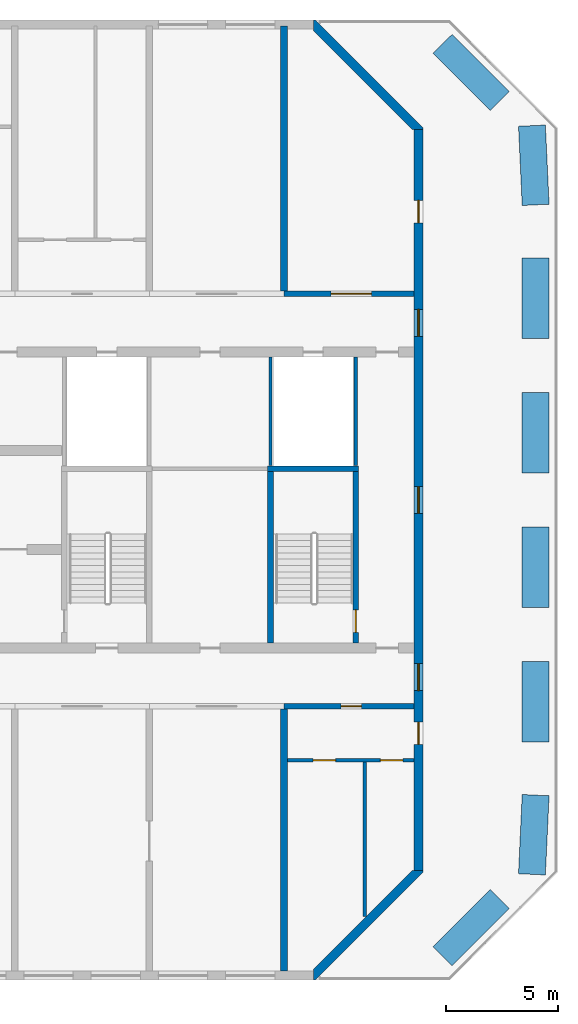
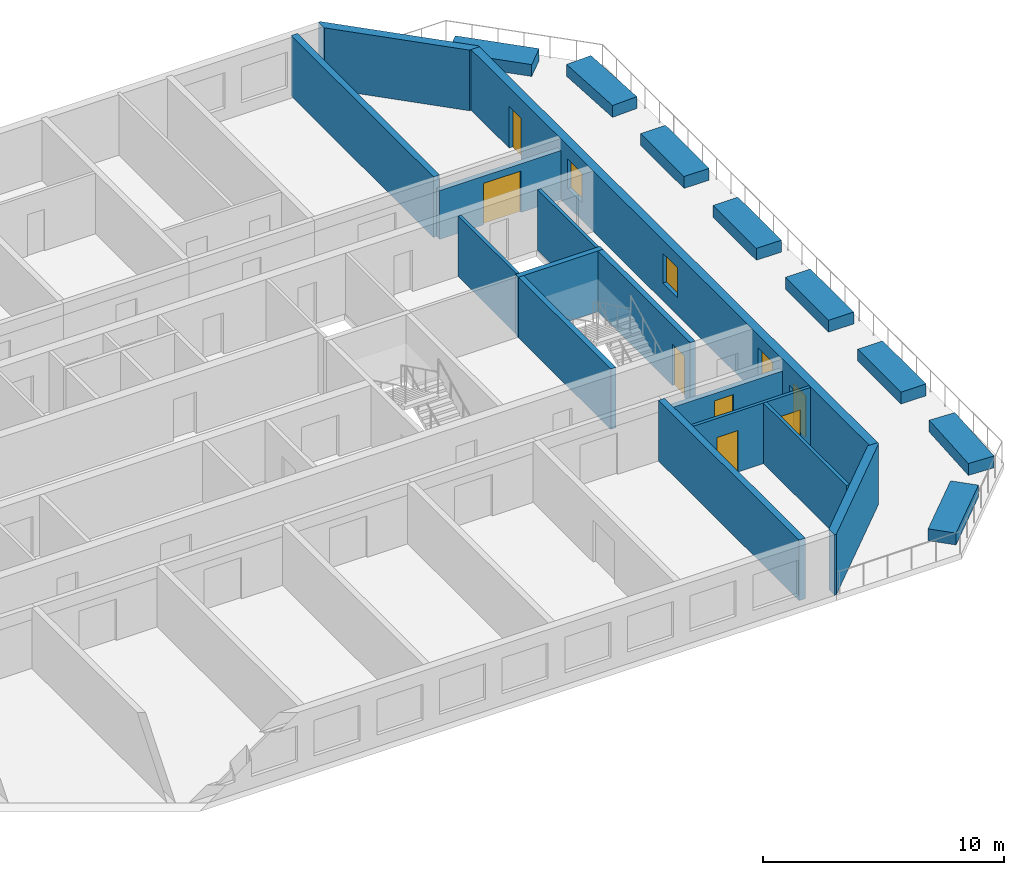
# One storey, part 9 of 14: 22 walls, 7 doors, 3 windows, 10 openings.
"""IFC4 building model written with IfcOpenShell, lengths in metres."""

from ifc_helpers import new_model, si_unit, direction, frame, frame_2d, origin, place, context, subcontext, project, spatial, polyline, rectangle, outline, extrude, source, transform, mapped, material, layer, layer_set, type_object, element, fill, save


model = new_model("IFC4")

# Units and contexts
model_context = context("Model", 3, precision=1e-05, world=origin(), true_north=direction((0.0, 1.0)))
body_context = subcontext(model_context, "Body", "Model", "MODEL_VIEW")
ifc_project = project(units=[si_unit("LENGTHUNIT", "METRE"), si_unit("AREAUNIT", "SQUARE_METRE"), si_unit("VOLUMEUNIT", "CUBIC_METRE"), si_unit("PLANEANGLEUNIT", "RADIAN"), si_unit("MASSUNIT", "GRAM", prefix="KILO")], contexts=[model_context])

# Site, building, storey
site_placement = place(None, origin())
site = spatial("IfcSite", under=ifc_project, at=site_placement, CompositionType="ELEMENT")
building_placement = place(site_placement, origin())
building = spatial("IfcBuilding", under=site, at=building_placement, Name="Poui Terraces", CompositionType="ELEMENT")
storey_placement = place(building_placement, frame((0.0, 0.0, 158.699951171875)))
storey = spatial("IfcBuildingStorey", under=building, at=storey_placement, Name="L44", CompositionType="ELEMENT", Elevation=158.699951171875)

# Wall, openings, doors
ifc_material_1 = material(Name="Fire-rated plasterboard wall")
ifc_layer_1 = layer(ifc_material_1, 0.14990234375)
ifc_layer_set_1 = layer_set([ifc_layer_1], Name="Fire-rated plasterboard wall")
wall_type_1 = type_object("IfcWallType", Name="CORRIDOR WALL 150", PredefinedType="PARTITIONING", material=ifc_layer_set_1)
wall_1_placement = place(storey_placement, frame((78.159912109375, 9.60009765625, 0.0), z_axis=(0.0, 0.0, 1.0), x_axis=(1.0, 0.0, 0.0)))
wall_1 = element("IfcWall", 1, at=wall_1_placement, inside=storey, type_object=wall_type_1, Name="CORRIDOR WALL 150", PredefinedType="PARTITIONING", context=body_context, shape_type="SweptSolid", body=[
    extrude(rectangle(XDim=5.630126953125, YDim=0.14990234375, at=frame_2d((2.81494140625, 0.0))), origin(), (0.0, 0.0, 1.0), 3.070068359375),
])
opening_1_placement = place(wall_1_placement, frame((1.139892578125, 0.0, 0.0)))
opening_1 = element("IfcOpeningElement", 2, at=opening_1_placement, cuts=wall_1, Name="Opening D100", PredefinedType="OPENING", context=body_context, shape_type="SweptSolid", body=[
    extrude(rectangle(XDim=1.0, YDim=2.10009765625, at=frame_2d((0.5, 1.050048828125))), frame((0.0, 0.0849609375, 0.0), z_axis=(0.0, -1.0, 0.0), x_axis=(1.0, 0.0, 0.0)), (0.0, 0.0, 1.0), 0.169921875),
])
opening_2_placement = place(wall_1_placement, frame((4.139892578125, 0.0, 0.0)))
opening_2 = element("IfcOpeningElement", 3, at=opening_2_placement, cuts=wall_1, Name="Opening D100", PredefinedType="OPENING", context=body_context, shape_type="SweptSolid", body=[
    extrude(rectangle(XDim=1.0, YDim=2.10009765625, at=frame_2d((0.5, 1.050048828125))), frame((0.0, 0.0849609375, 0.0), z_axis=(0.0, -1.0, 0.0), x_axis=(1.0, 0.0, 0.0)), (0.0, 0.0, 1.0), 0.169921875),
])
ifc_material_2 = material(Name="Solid core timber door", Category="wood")
door_type_1 = type_object("IfcDoorType", Name="ACCESSIBLE INTERNAL DOOR 1000 X 2100", OperationType="NOTDEFINED", PredefinedType="DOOR", material=ifc_material_2)
door_1_placement = place(opening_1_placement, origin())
door_1 = element("IfcDoor", 4, at=door_1_placement, inside=storey, type_object=door_type_1, Name="ACCESSIBLE INTERNAL DOOR 061", OperationType="SINGLE_SWING_RIGHT", OverallHeight=2.10009765625, OverallWidth=1.0, PredefinedType="DOOR", context=body_context, shape_type="SweptSolid", body=[
    extrude(rectangle(XDim=1.0, YDim=2.10009765625, at=frame_2d((0.5, 1.050048828125))), frame((0.0, 0.02490234375, 0.0), z_axis=(0.0, -1.0, 0.0), x_axis=(1.0, 0.0, 0.0)), (0.0, 0.0, 1.0), 0.050048828125),
])
fill(opening_1, door_1)
door_2_placement = place(opening_2_placement, origin())
door_2 = element("IfcDoor", 5, at=door_2_placement, inside=storey, type_object=door_type_1, Name="ACCESSIBLE INTERNAL DOOR 062", OperationType="SINGLE_SWING_LEFT", OverallHeight=2.10009765625, OverallWidth=1.0, PredefinedType="DOOR", context=body_context, shape_type="SweptSolid", body=[
    extrude(rectangle(XDim=1.0, YDim=2.10009765625, at=frame_2d((0.5, 1.050048828125))), frame((0.0, 0.02490234375, 0.0), z_axis=(0.0, -1.0, 0.0), x_axis=(1.0, 0.0, 0.0)), (0.0, 0.0, 1.0), 0.050048828125),
])
fill(opening_2, door_2)

# Wall, opening, door
ifc_material_3 = material(Name="Concrete 65 MPa", Category="concrete")
ifc_layer_2 = layer(ifc_material_3, 0.25)
ifc_layer_set_2 = layer_set([ifc_layer_2], Name="Concrete 65 MPa")
wall_type_2 = type_object("IfcWallType", Name="CORRIDOR WALL 250 65MPa", PredefinedType="SHEAR", material=ifc_layer_set_2)
wall_2_placement = place(storey_placement, frame((78.0, 12.0, 0.0), z_axis=(0.0, 0.0, 1.0), x_axis=(1.0, 0.0, 0.0)))
wall_2 = element("IfcWall", 6, at=wall_2_placement, inside=storey, type_object=wall_type_2, Name="CORRIDOR WALL LINE B BAY 11", PredefinedType="SHEAR", context=body_context, shape_type="SweptSolid", body=[
    extrude(rectangle(XDim=5.800048828125, YDim=0.25, at=frame_2d((2.89990234375, 0.0))), origin(), (0.0, 0.0, 1.0), 2.469970703125),
])
opening_3_placement = place(wall_2_placement, frame((2.550048828125, 0.0, 0.0)))
opening_3 = element("IfcOpeningElement", 7, at=opening_3_placement, cuts=wall_2, Name="Opening D90", PredefinedType="OPENING", context=body_context, shape_type="SweptSolid", body=[
    extrude(rectangle(XDim=0.89990234375, YDim=2.10009765625, at=frame_2d((0.449951171875, 1.050048828125))), frame((0.0, 0.135009765625, 0.0), z_axis=(0.0, -1.0, 0.0), x_axis=(1.0, 0.0, 0.0)), (0.0, 0.0, 1.0), 0.27001953125),
])
door_type_2 = type_object("IfcDoorType", Name="INTERNAL DOOR 900 X 2100", OperationType="NOTDEFINED", PredefinedType="DOOR", material=ifc_material_2)
door_3_placement = place(opening_3_placement, origin())
door_3 = element("IfcDoor", 8, at=door_3_placement, inside=storey, type_object=door_type_2, Name="INTERNAL DOOR 047", OperationType="SINGLE_SWING_LEFT", OverallHeight=2.10009765625, OverallWidth=0.89990234375, PredefinedType="DOOR", context=body_context, shape_type="SweptSolid", body=[
    extrude(rectangle(XDim=0.89990234375, YDim=2.10009765625, at=frame_2d((0.449951171875, 1.050048828125))), frame((0.0, 0.02490234375, 0.0), z_axis=(0.0, -1.0, 0.0), x_axis=(1.0, 0.0, 0.0)), (0.0, 0.0, 1.0), 0.050048828125),
])
fill(opening_3, door_3)

wall_3_placement = place(storey_placement, frame((78.0, 30.39990234375, 0.0), z_axis=(0.0, 0.0, 1.0), x_axis=(1.0, 0.0, 0.0)))
wall_3 = element("IfcWall", 9, at=wall_3_placement, inside=storey, type_object=wall_type_2, Name="CORRIDOR WALL LINE E BAY 11", PredefinedType="SHEAR", context=body_context, shape_type="SweptSolid", body=[
    extrude(rectangle(XDim=5.800048828125, YDim=0.25, at=frame_2d((2.89990234375, 0.0))), origin(), (0.0, 0.0, 1.0), 2.469970703125),
])
opening_4_placement = place(wall_3_placement, frame((2.10009765625, 0.0, 0.0)))
opening_4 = element("IfcOpeningElement", 10, at=opening_4_placement, cuts=wall_3, Name="Opening DD180", PredefinedType="OPENING", context=body_context, shape_type="SweptSolid", body=[
    extrude(rectangle(XDim=1.800048828125, YDim=2.10009765625, at=frame_2d((0.89990234375, 1.050048828125))), frame((0.0, 0.135009765625, 0.0), z_axis=(0.0, -1.0, 0.0), x_axis=(1.0, 0.0, 0.0)), (0.0, 0.0, 1.0), 0.27001953125),
])
ifc_material_4 = material(Name="Steel fire door", Category="steel")
door_type_3 = type_object("IfcDoorType", Name="DOUBLE INTERNAL DOOR 1800 X 2100", OperationType="DOUBLE_DOOR_SINGLE_SWING", PredefinedType="DOOR", material=ifc_material_4)
door_4_placement = place(opening_4_placement, frame((1.800048828125, 0.0, 0.0), z_axis=(0.0, 0.0, 1.0), x_axis=(-1.0, 0.0, 0.0)))
door_4 = element("IfcDoor", 11, at=door_4_placement, inside=storey, type_object=door_type_3, Name="DOUBLE INTERNAL DOOR 027", OperationType="DOUBLE_DOOR_SINGLE_SWING", OverallHeight=2.10009765625, OverallWidth=1.800048828125, PredefinedType="DOOR", context=body_context, shape_type="SweptSolid", body=[
    extrude(rectangle(XDim=1.800048828125, YDim=2.10009765625, at=frame_2d((0.89990234375, 1.050048828125))), frame((0.0, 0.02490234375, 0.0), z_axis=(0.0, -1.0, 0.0), x_axis=(1.0, 0.0, 0.0)), (0.0, 0.0, 1.0), 0.050048828125),
])
fill(opening_4, door_4)

# Walls
ifc_layer_3 = layer(ifc_material_3, 0.300048828125)
ifc_layer_set_3 = layer_set([ifc_layer_3], Name="Concrete 65 MPa")
wall_type_3 = type_object("IfcWallType", Name="CROSS WALL 300 65MPa", PredefinedType="SHEAR", material=ifc_layer_set_3)
wall_4_placement = place(storey_placement, frame((78.0, 0.199951171875, 0.0), z_axis=(0.0, 0.0, 1.0), x_axis=(0.0, 1.0, 0.0)))
element("IfcWall", 12, at=wall_4_placement, inside=storey, type_object=wall_type_3, Name="CROSS WALL LINE 14 SOUTH", PredefinedType="SHEAR", context=body_context, shape_type="SweptSolid", body=[
    extrude(rectangle(XDim=11.675048828125, YDim=0.300048828125, at=frame_2d((5.83740234375, 0.0))), origin(), (0.0, 0.0, 1.0), 3.070068359375),
])
wall_5_placement = place(storey_placement, frame((78.0, 30.52490234375, 0.0), z_axis=(0.0, 0.0, 1.0), x_axis=(0.0, 1.0, 0.0)))
element("IfcWall", 13, at=wall_5_placement, inside=storey, type_object=wall_type_3, Name="CROSS WALL LINE 14 NORTH", PredefinedType="SHEAR", context=body_context, shape_type="SweptSolid", body=[
    extrude(rectangle(XDim=11.800048828125, YDim=0.300048828125, at=frame_2d((5.89990234375, 0.0))), origin(), (0.0, 0.0, 1.0), 3.070068359375),
])

# Wall, openings, doors, windows
ifc_layer_4 = layer(ifc_material_3, 0.39990234375)
ifc_layer_set_4 = layer_set([ifc_layer_4], Name="Concrete 65 MPa")
wall_type_4 = type_object("IfcWallType", Name="END WALL 400 65MPa", PredefinedType="SHEAR", material=ifc_layer_set_4)
wall_6_placement = place(storey_placement, frame((84.0, 4.682861328125, 0.0), z_axis=(0.0, 0.0, 1.0), x_axis=(0.0, 1.0, 0.0)))
wall_6 = element("IfcWall", 14, at=wall_6_placement, inside=storey, type_object=wall_type_4, Name="END WALL EAST", PredefinedType="SHEAR", context=body_context, shape_type="SweptSolid", body=[
    extrude(rectangle(XDim=33.034423828125, YDim=0.39990234375, at=frame_2d((16.51708984375, 0.0))), origin(), (0.0, 0.0, 1.0), 3.070068359375),
])
opening_5_placement = place(wall_6_placement, frame((23.817138671875, 0.0, 0.89990234375)))
opening_5 = element("IfcOpeningElement", 15, at=opening_5_placement, cuts=wall_6, Name="Opening W2", PredefinedType="OPENING", context=body_context, shape_type="SweptSolid", body=[
    extrude(rectangle(XDim=1.199951171875, YDim=1.5, at=frame_2d((0.60009765625, 0.75))), frame((0.0, 0.2099609375, 0.0), z_axis=(0.0, -1.0, 0.0), x_axis=(1.0, 0.0, 0.0)), (0.0, 0.0, 1.0), 0.419921875),
])
opening_6_placement = place(wall_6_placement, frame((8.01708984375, 0.0, 0.89990234375)))
opening_6 = element("IfcOpeningElement", 16, at=opening_6_placement, cuts=wall_6, Name="Opening W2", PredefinedType="OPENING", context=body_context, shape_type="SweptSolid", body=[
    extrude(rectangle(XDim=1.199951171875, YDim=1.5, at=frame_2d((0.60009765625, 0.75))), frame((0.0, 0.2099609375, 0.0), z_axis=(0.0, -1.0, 0.0), x_axis=(1.0, 0.0, 0.0)), (0.0, 0.0, 1.0), 0.419921875),
])
opening_7_placement = place(wall_6_placement, frame((15.917236328125, 0.0, 0.89990234375)))
opening_7 = element("IfcOpeningElement", 17, at=opening_7_placement, cuts=wall_6, Name="Opening W2", PredefinedType="OPENING", context=body_context, shape_type="SweptSolid", body=[
    extrude(rectangle(XDim=1.199951171875, YDim=1.5, at=frame_2d((0.60009765625, 0.75))), frame((0.0, 0.2099609375, 0.0), z_axis=(0.0, -1.0, 0.0), x_axis=(1.0, 0.0, 0.0)), (0.0, 0.0, 1.0), 0.419921875),
])
opening_8_placement = place(wall_6_placement, frame((28.875732421875, 0.0, 0.0)))
opening_8 = element("IfcOpeningElement", 18, at=opening_8_placement, cuts=wall_6, Name="Opening XD100", PredefinedType="OPENING", context=body_context, shape_type="SweptSolid", body=[
    extrude(rectangle(XDim=1.0, YDim=2.10009765625, at=frame_2d((0.5, 1.050048828125))), frame((0.0, 0.2099609375, 0.0), z_axis=(0.0, -1.0, 0.0), x_axis=(1.0, 0.0, 0.0)), (0.0, 0.0, 1.0), 0.419921875),
])
opening_9_placement = place(wall_6_placement, frame((5.6171875, 0.0, 0.0)))
opening_9 = element("IfcOpeningElement", 19, at=opening_9_placement, cuts=wall_6, Name="Opening XD100", PredefinedType="OPENING", context=body_context, shape_type="SweptSolid", body=[
    extrude(rectangle(XDim=1.0, YDim=2.10009765625, at=frame_2d((0.5, 1.050048828125))), frame((0.0, 0.2099609375, 0.0), z_axis=(0.0, -1.0, 0.0), x_axis=(1.0, 0.0, 0.0)), (0.0, 0.0, 1.0), 0.419921875),
])
ifc_material_5 = material(Name="Aluminium glazed door", Category="aluminium")
door_type_4 = type_object("IfcDoorType", Name="EXTERNAL DOOR 1000 X 2100", OperationType="NOTDEFINED", PredefinedType="DOOR", material=ifc_material_5)
door_5_placement = place(opening_8_placement, frame((1.0, 0.0, 0.0), z_axis=(0.0, 0.0, 1.0), x_axis=(-1.0, 0.0, 0.0)))
door_5 = element("IfcDoor", 20, at=door_5_placement, inside=storey, type_object=door_type_4, Name="EXTERNAL DOOR 057", OperationType="SINGLE_SWING_LEFT", OverallHeight=2.10009765625, OverallWidth=1.0, PredefinedType="DOOR", context=body_context, shape_type="SweptSolid", body=[
    extrude(rectangle(XDim=1.0, YDim=2.10009765625, at=frame_2d((0.5, 1.050048828125))), frame((0.0, 0.02490234375, 0.0), z_axis=(0.0, -1.0, 0.0), x_axis=(1.0, 0.0, 0.0)), (0.0, 0.0, 1.0), 0.050048828125),
])
fill(opening_8, door_5)
door_6_placement = place(opening_9_placement, frame((1.0, 0.0, 0.0), z_axis=(0.0, 0.0, 1.0), x_axis=(-1.0, 0.0, 0.0)))
door_6 = element("IfcDoor", 21, at=door_6_placement, inside=storey, type_object=door_type_4, Name="EXTERNAL DOOR 063", OperationType="SINGLE_SWING_LEFT", OverallHeight=2.10009765625, OverallWidth=1.0, PredefinedType="DOOR", context=body_context, shape_type="SweptSolid", body=[
    extrude(rectangle(XDim=1.0, YDim=2.10009765625, at=frame_2d((0.5, 1.050048828125))), frame((0.0, 0.02490234375, 0.0), z_axis=(0.0, -1.0, 0.0), x_axis=(1.0, 0.0, 0.0)), (0.0, 0.0, 1.0), 0.050048828125),
])
fill(opening_9, door_6)
ifc_material_6 = material(Name="Clear glass in aluminium frame", Category="aluminium")
window_type = type_object("IfcWindowType", Name="WINDOW 1200X1500", PartitioningType="SINGLE_PANEL", PredefinedType="WINDOW", material=ifc_material_6)
window_1_placement = place(opening_5_placement, origin())
window_1 = element("IfcWindow", 22, at=window_1_placement, inside=storey, type_object=window_type, Name="W2 WINDOW", OverallHeight=1.5, OverallWidth=1.199951171875, PartitioningType="SINGLE_PANEL", PredefinedType="WINDOW", context=body_context, shape_type="SweptSolid", body=[
    extrude(rectangle(XDim=1.199951171875, YDim=1.5, at=frame_2d((0.60009765625, 0.75))), frame((0.0, 0.030029296875, 0.0), z_axis=(0.0, -1.0, 0.0), x_axis=(1.0, 0.0, 0.0)), (0.0, 0.0, 1.0), 0.06005859375),
])
fill(opening_5, window_1)
window_2_placement = place(opening_6_placement, origin())
window_2 = element("IfcWindow", 23, at=window_2_placement, inside=storey, type_object=window_type, Name="W2 WINDOW", OverallHeight=1.5, OverallWidth=1.199951171875, PartitioningType="SINGLE_PANEL", PredefinedType="WINDOW", context=body_context, shape_type="SweptSolid", body=[
    extrude(rectangle(XDim=1.199951171875, YDim=1.5, at=frame_2d((0.60009765625, 0.75))), frame((0.0, 0.030029296875, 0.0), z_axis=(0.0, -1.0, 0.0), x_axis=(1.0, 0.0, 0.0)), (0.0, 0.0, 1.0), 0.06005859375),
])
fill(opening_6, window_2)
window_3_placement = place(opening_7_placement, origin())
window_3 = element("IfcWindow", 24, at=window_3_placement, inside=storey, type_object=window_type, Name="W2 WINDOW", OverallHeight=1.5, OverallWidth=1.199951171875, PartitioningType="SINGLE_PANEL", PredefinedType="WINDOW", context=body_context, shape_type="SweptSolid", body=[
    extrude(rectangle(XDim=1.199951171875, YDim=1.5, at=frame_2d((0.60009765625, 0.75))), frame((0.0, 0.030029296875, 0.0), z_axis=(0.0, -1.0, 0.0), x_axis=(1.0, 0.0, 0.0)), (0.0, 0.0, 1.0), 0.06005859375),
])
fill(opening_7, window_3)

# Walls
ifc_material_7 = material(Name="Plasterboard partition")
ifc_layer_5 = layer(ifc_material_7, 0.14990234375)
ifc_layer_set_5 = layer_set([ifc_layer_5], Name="Plasterboard partition")
wall_type_5 = type_object("IfcWallType", Name="PARTITION WALL 150", PredefinedType="PARTITIONING", material=ifc_layer_set_5)
wall_7_placement = place(storey_placement, frame((81.60009765625, 2.636474609375, 0.0), z_axis=(0.0, 0.0, 1.0), x_axis=(0.0, 1.0, 0.0)))
element("IfcWall", 25, at=wall_7_placement, inside=storey, type_object=wall_type_5, Name="PARTITION WALL 150", PredefinedType="PARTITIONING", context=body_context, shape_type="SweptSolid", body=[
    extrude(rectangle(XDim=6.888427734375, YDim=0.14990234375, at=frame_2d((3.4443359375, 0.0))), origin(), (0.0, 0.0, 1.0), 3.070068359375),
])
ifc_material_8 = material(Name="Fire-rated plasterboard riser wall")
ifc_layer_6 = layer(ifc_material_8, 0.14990234375)
ifc_layer_set_6 = layer_set([ifc_layer_6], Name="Fire-rated plasterboard riser wall")
wall_type_6 = type_object("IfcWallType", Name="RISER WALL 150", PredefinedType="PARTITIONING", material=ifc_layer_set_6)
for number, where, z_axis, x_axis, name in (
    (26, (77.39990234375, 22.735107421875, 0.0), (0.0, 0.0, 1.0), (0.0, 1.0, 0.0), "RISER WALL 150"),
    (27, (81.199951171875, 22.735107421875, 0.0), (0.0, 0.0, 1.0), (0.0, 1.0, 0.0), "RISER WALL 150"),
):
    element("IfcWall", number, at=place(storey_placement, frame(where, z_axis=z_axis, x_axis=x_axis)), inside=storey, type_object=wall_type_6, Name=name, PredefinedType="PARTITIONING", context=body_context, shape_type="SweptSolid", body=[
        extrude(rectangle(XDim=4.829833984375, YDim=0.14990234375, at=frame_2d((2.4150390625, 0.0))), origin(), (0.0, 0.0, 1.0), 3.070068359375),
    ])
ifc_layer_7 = layer(ifc_material_3, 0.25)
ifc_layer_set_7 = layer_set([ifc_layer_7], Name="Concrete 65 MPa")
wall_type_7 = type_object("IfcWallType", Name="STAIR CORE WALL 250 65 MPA", PredefinedType="SOLIDWALL", material=ifc_layer_set_7)
wall_8_placement = place(storey_placement, frame((77.39990234375, 14.824951171875, 0.0), z_axis=(0.0, 0.0, 1.0), x_axis=(0.0, 1.0, 0.0)))
element("IfcWall", 28, at=wall_8_placement, inside=storey, type_object=wall_type_7, Name="STAIR CORE WALL", PredefinedType="SOLIDWALL", context=body_context, shape_type="SweptSolid", body=[
    extrude(rectangle(XDim=7.650146484375, YDim=0.25, at=frame_2d((3.8251953125, 0.0))), origin(), (0.0, 0.0, 1.0), 3.070068359375),
])

# Wall, opening, door
wall_9_placement = place(storey_placement, frame((81.199951171875, 14.824951171875, 0.0), z_axis=(0.0, 0.0, 1.0), x_axis=(0.0, 1.0, 0.0)))
wall_9 = element("IfcWall", 29, at=wall_9_placement, inside=storey, type_object=wall_type_7, Name="STAIR CORE WALL", PredefinedType="SOLIDWALL", context=body_context, shape_type="SweptSolid", body=[
    extrude(rectangle(XDim=7.650146484375, YDim=0.25, at=frame_2d((3.8251953125, 0.0))), origin(), (0.0, 0.0, 1.0), 3.070068359375),
])
opening_10_placement = place(wall_9_placement, frame((0.47509765625, 0.0, 0.0)))
opening_10 = element("IfcOpeningElement", 30, at=opening_10_placement, cuts=wall_9, Name="Opening FD60S", PredefinedType="OPENING", context=body_context, shape_type="SweptSolid", body=[
    extrude(rectangle(XDim=1.0, YDim=2.10009765625, at=frame_2d((0.5, 1.050048828125))), frame((0.0, 0.135009765625, 0.0), z_axis=(0.0, -1.0, 0.0), x_axis=(1.0, 0.0, 0.0)), (0.0, 0.0, 1.0), 0.27001953125),
])
door_type_5 = type_object("IfcDoorType", Name="STAIR DOOR 1000 X 2100", OperationType="NOTDEFINED", PredefinedType="DOOR", material=ifc_material_4)
door_7_placement = place(opening_10_placement, origin())
door_7 = element("IfcDoor", 31, at=door_7_placement, inside=storey, type_object=door_type_5, Name="STAIR DOOR 079", OperationType="SINGLE_SWING_LEFT", OverallHeight=2.10009765625, OverallWidth=1.0, PredefinedType="DOOR", context=body_context, shape_type="SweptSolid", body=[
    extrude(rectangle(XDim=1.0, YDim=2.10009765625, at=frame_2d((0.5, 1.050048828125))), frame((0.0, 0.02490234375, 0.0), z_axis=(0.0, -1.0, 0.0), x_axis=(1.0, 0.0, 0.0)), (0.0, 0.0, 1.0), 0.050048828125),
])
fill(opening_10, door_7)

# Walls
wall_10_placement = place(storey_placement, frame((77.27490234375, 22.60009765625, 0.0), z_axis=(0.0, 0.0, 1.0), x_axis=(1.0, 0.0, 0.0)))
element("IfcWall", 32, at=wall_10_placement, inside=storey, type_object=wall_type_7, Name="STAIR CORE WALL", PredefinedType="SOLIDWALL", context=body_context, shape_type="SweptSolid", body=[
    extrude(rectangle(XDim=4.050048828125, YDim=0.25, at=frame_2d((2.02490234375, 0.0))), origin(), (0.0, 0.0, 1.0), 3.070068359375),
])
ifc_material_9 = material(Name="Precast concrete 40 MPa", Category="concrete")
ifc_layer_8 = layer(ifc_material_9, 0.39990234375)
ifc_layer_set_8 = layer_set([ifc_layer_8], Name="Precast concrete 40 MPa")
wall_type_8 = type_object("IfcWallType", Name="TERRACOTTA CLAD CHAMFER WALL 400", PredefinedType="STANDARD", material=ifc_layer_set_8)
wall_11_placement = place(storey_placement, origin())
element("IfcWall", 33, at=wall_11_placement, inside=storey, type_object=wall_type_8, Name="CHAMFER WALL CH01", PredefinedType="STANDARD", context=body_context, shape_type="SweptSolid", body=[
    extrude(outline(polyline([(79.317138671875, -0.199951171875), (79.39990234375, -0.199951171875), (84.199951171875, 4.60009765625), (84.199951171875, 4.682861328125), (83.71728515625, 4.682861328125), (79.317138671875, 0.28271484375), (79.317138671875, -0.199951171875)])), origin(), (0.0, 0.0, 1.0), 3.070068359375),
])
wall_12_placement = place(storey_placement, origin())
element("IfcWall", 34, at=wall_12_placement, inside=storey, type_object=wall_type_8, Name="CHAMFER WALL CH03", PredefinedType="STANDARD", context=body_context, shape_type="SweptSolid", body=[
    extrude(outline(polyline([(84.199951171875, 37.71728515625), (84.199951171875, 37.800048828125), (79.39990234375, 42.60009765625), (79.317138671875, 42.60009765625), (79.317138671875, 42.1171875), (83.71728515625, 37.71728515625), (84.199951171875, 37.71728515625)])), origin(), (0.0, 0.0, 1.0), 3.070068359375),
])
ifc_layer_9 = layer(ifc_material_9, 1.199951171875)
ifc_layer_set_9 = layer_set([ifc_layer_9], Name="Precast concrete 40 MPa")
wall_type_9 = type_object("IfcWallType", Name="PLANTER 600", PredefinedType="USERDEFINED", material=ifc_layer_set_9)
shared_shape_1 = source(origin(), body_context, "Body", "SweptSolid", [
    extrude(outline(polyline([(0.0, 0.0), (1.199951171875, 0.0), (1.199951171875, 3.60009765625), (0.0, 3.60009765625), (0.0, 0.0)])), origin(), (0.0, 0.0, 1.0), 0.60009765625),
])
for number, where, name in (
    (35, (88.6201171875, 28.39990234375, 0.0), "PLANTER"),
    (36, (88.6201171875, 22.39990234375, 0.0), "PLANTER"),
    (37, (88.6201171875, 16.39990234375, 0.0), "PLANTER"),
    (38, (88.6201171875, 10.39990234375, 0.0), "PLANTER"),
):
    element("IfcWall", number, at=place(storey_placement, frame(where)), inside=storey, type_object=wall_type_9, Name=name, ObjectType="PLANTER", PredefinedType="USERDEFINED", context=body_context, shape_type="MappedRepresentation", body=[
        mapped(shared_shape_1, transform((0.0, 0.0, 0.0))),
    ])
shared_shape_2 = source(origin(), body_context, "Body", "SweptSolid", [
    extrude(outline(polyline([(0.0, 0.0), (2.545654296875, -2.545654296875), (3.39404296875, -1.697265625), (0.8486328125, 0.848388671875), (0.0, 0.0)])), origin(), (0.0, 0.0, 1.0), 0.60009765625),
])
wall_13_placement = place(storey_placement, frame((84.65185546875, 41.11376953125, 0.0)))
element("IfcWall", 39, at=wall_13_placement, inside=storey, type_object=wall_type_9, Name="PLANTER", ObjectType="PLANTER", PredefinedType="USERDEFINED", context=body_context, shape_type="MappedRepresentation", body=[
    mapped(shared_shape_2, transform((0.0, 0.0, 0.0))),
])
shared_shape_3 = source(origin(), body_context, "Body", "SweptSolid", [
    extrude(outline(polyline([(0.0, 0.0), (0.164794921875, -3.53173828125), (1.363525390625, -3.475830078125), (1.19873046875, 0.055908203125), (0.0, 0.0)])), origin(), (0.0, 0.0, 1.0), 0.60009765625),
])
wall_14_placement = place(storey_placement, frame((88.456787109375, 37.86181640625, 0.0)))
element("IfcWall", 40, at=wall_14_placement, inside=storey, type_object=wall_type_9, Name="PLANTER", ObjectType="PLANTER", PredefinedType="USERDEFINED", context=body_context, shape_type="MappedRepresentation", body=[
    mapped(shared_shape_3, transform((0.0, 0.0, 0.0))),
])
shared_shape_4 = source(origin(), body_context, "Body", "SweptSolid", [
    extrude(outline(polyline([(0.0, 0.0), (1.19873046875, -0.0556640625), (1.363525390625, 3.475830078125), (0.164794921875, 3.53173828125), (0.0, 0.0)])), origin(), (0.0, 0.0, 1.0), 0.60009765625),
])
wall_15_placement = place(storey_placement, frame((88.456787109375, 4.5380859375, 0.0)))
element("IfcWall", 41, at=wall_15_placement, inside=storey, type_object=wall_type_9, Name="PLANTER", ObjectType="PLANTER", PredefinedType="USERDEFINED", context=body_context, shape_type="MappedRepresentation", body=[
    mapped(shared_shape_4, transform((0.0, 0.0, 0.0))),
])
shared_shape_5 = source(origin(), body_context, "Body", "SweptSolid", [
    extrude(outline(polyline([(0.0, 0.0), (0.8486328125, -0.8486328125), (3.39404296875, 1.697021484375), (2.545654296875, 2.54541015625), (0.0, 0.0)])), origin(), (0.0, 0.0, 1.0), 0.60009765625),
])
wall_16_placement = place(storey_placement, frame((84.65185546875, 1.286376953125, 0.0)))
element("IfcWall", 42, at=wall_16_placement, inside=storey, type_object=wall_type_9, Name="PLANTER", ObjectType="PLANTER", PredefinedType="USERDEFINED", context=body_context, shape_type="MappedRepresentation", body=[
    mapped(shared_shape_5, transform((0.0, 0.0, 0.0))),
])

save(model, "model.ifc")
